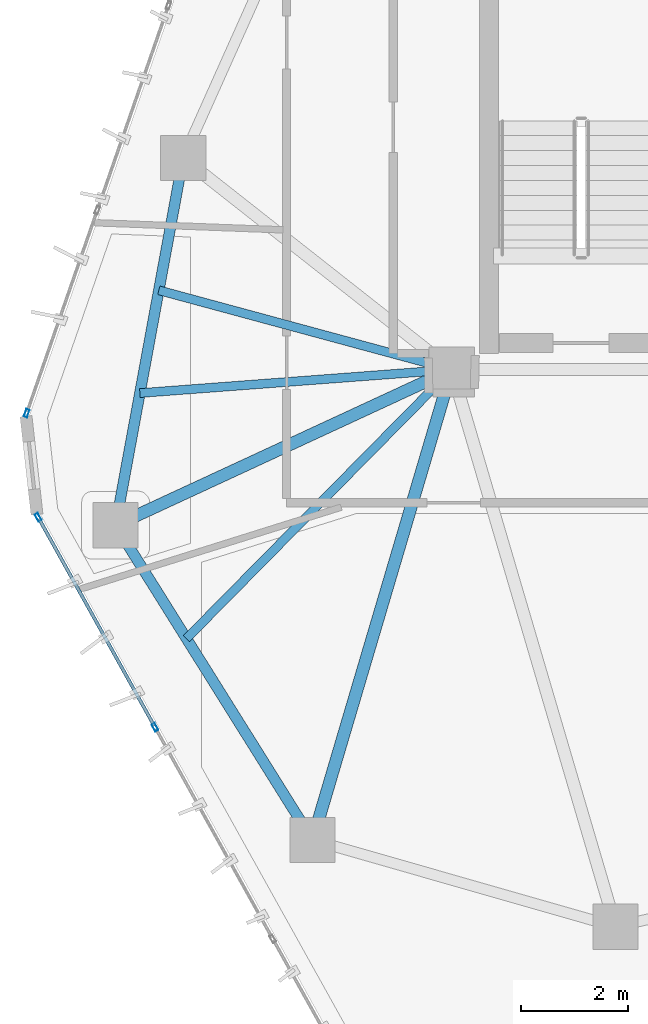
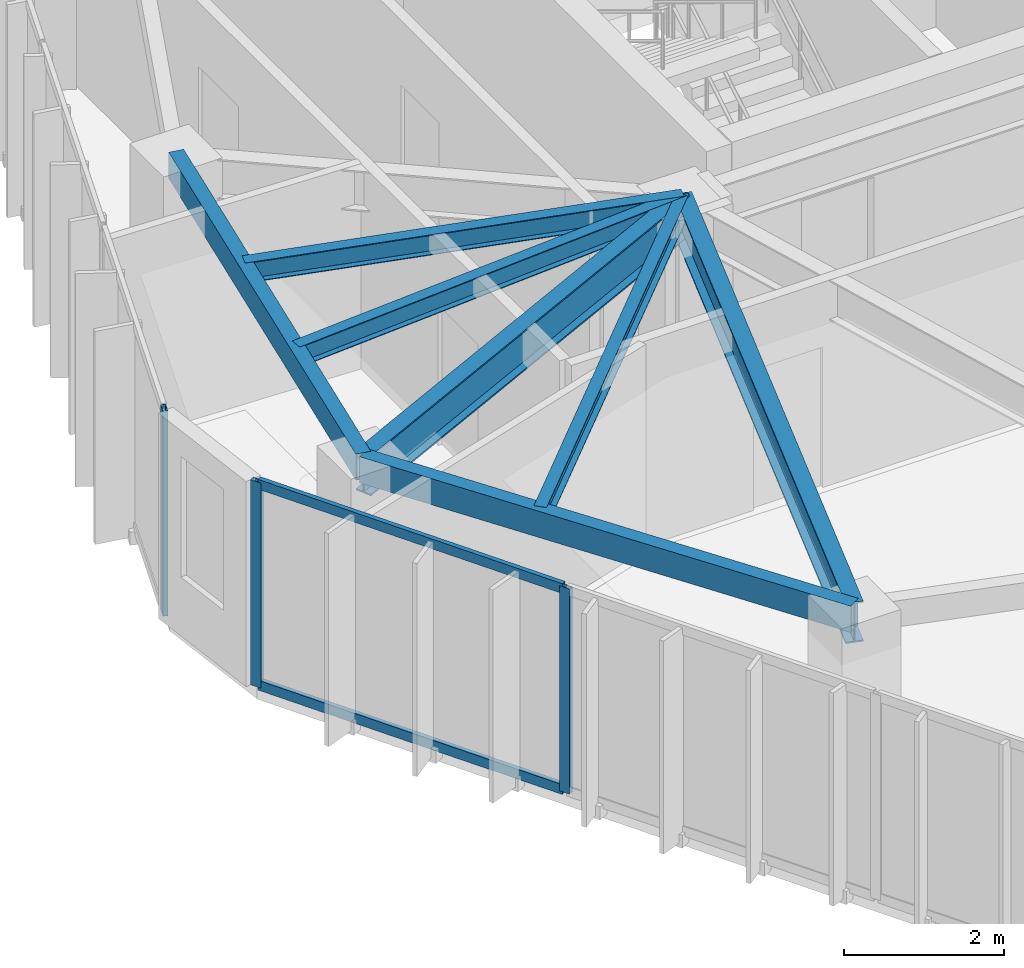
# One storey, part 4 of 21: 7 beams, 5 members, 2 elements without a shape of their own.
"""IFC4 building model written with IfcOpenShell, lengths in metres."""

from ifc_helpers import new_model, si_unit, direction, frame, origin, origin_2d, place, context, subcontext, project, spatial, hollow_rectangle, i_section, extrude, source, transform, mapped, material, layer, layer_set, material_profile, profile_set, type_object, type_shapes, element, aggregate, save


model = new_model("IFC4")

# Units and contexts
model_context = context("Model", 3, precision=1e-05, world=origin(), true_north=direction((0.0, 1.0)))
body_context = subcontext(model_context, "Body", "Model", "MODEL_VIEW")
ifc_project = project(units=[si_unit("LENGTHUNIT", "METRE"), si_unit("AREAUNIT", "SQUARE_METRE"), si_unit("VOLUMEUNIT", "CUBIC_METRE"), si_unit("PLANEANGLEUNIT", "RADIAN"), si_unit("MASSUNIT", "GRAM", prefix="KILO")], contexts=[model_context])

# Site, building, storey
site_placement = place(None, origin())
site = spatial("IfcSite", under=ifc_project, at=site_placement, CompositionType="ELEMENT")
building_placement = place(site_placement, origin())
building = spatial("IfcBuilding", under=site, at=building_placement, Name="Talar Marvaseh", CompositionType="ELEMENT")
storey_placement = place(building_placement, frame((0.0, 0.0, 264.60009765625)))
storey = spatial("IfcBuildingStorey", under=building, at=storey_placement, Name="L70", CompositionType="ELEMENT", Elevation=264.60009765625)

# Beams
ifc_material_1 = material(Name="Steel S355", Category="steel")
ifc_material_profile_1 = material_profile(ifc_material_1, hollow_rectangle(XDim=0.199951171875, YDim=0.39990234375, WallThickness=0.013916015625, at=origin_2d()), Name="RHS400x200x14")
ifc_profile_set_1 = profile_set([ifc_material_profile_1], Name="Steel S355")
beam_type_1 = type_object("IfcBeamType", Name="Zone 3 Perimeter Spandrel Beam RHS400x200x14", PredefinedType="SPANDREL", material=ifc_profile_set_1)
beam_1_placement = place(storey_placement, frame((12.388916015625, 22.576904296875, 2.93994140625), z_axis=(0.18106135948, 0.983471801377, 0.0), x_axis=(-0.983471801377, 0.18106135948, 0.0)))
element("IfcBeam", 1, at=beam_1_placement, inside=storey, type_object=beam_type_1, Name="L70 Zone 3 Perimeter Spandrel Beam RHS400x200x14", PredefinedType="SPANDREL", context=body_context, shape_type="SweptSolid", body=[
    extrude(hollow_rectangle(XDim=0.199951171875, YDim=0.39990234375, WallThickness=0.013916015625, at=origin_2d()), origin(), (0.0, 0.0, 1.0), 7.0087890625),
])
beam_2_placement = place(storey_placement, frame((16.0869140625, 16.66796875, 2.93994140625), z_axis=(-0.530505706813, 0.847681364098, 0.0), x_axis=(-0.847681364098, -0.530505706813, 0.0)))
element("IfcBeam", 2, at=beam_2_placement, inside=storey, type_object=beam_type_1, Name="L70 Zone 3 Perimeter Spandrel Beam RHS400x200x14", PredefinedType="SPANDREL", context=body_context, shape_type="SweptSolid", body=[
    extrude(hollow_rectangle(XDim=0.199951171875, YDim=0.39990234375, WallThickness=0.013916015625, at=origin_2d()), origin(), (0.0, 0.0, 1.0), 6.970703125),
])
ifc_material_profile_2 = material_profile(ifc_material_1, i_section(OverallWidth=0.166015625, OverallDepth=0.31298828125, WebThickness=0.006591796875, FlangeThickness=0.01123046875, at=origin_2d()), Name="W310x45")
ifc_profile_set_2 = profile_set([ifc_material_profile_2], Name="Steel S355")
beam_type_2 = type_object("IfcBeamType", Name="Zone 3 Secondary Floor Joist W310x45", PredefinedType="JOIST", material=ifc_profile_set_2)
beam_3_placement = place(storey_placement, frame((12.845703125, 25.05859375, 2.9833984375), z_axis=(0.997169535009, 0.075185892627, 0.0), x_axis=(-0.075185892627, 0.997169535009, 0.0)))
element("IfcBeam", 3, at=beam_3_placement, inside=storey, type_object=beam_type_2, Name="L70 Zone 3 Secondary Floor Joist W310x45", PredefinedType="JOIST", context=body_context, shape_type="SweptSolid", body=[
    extrude(i_section(OverallWidth=0.166015625, OverallDepth=0.31298828125, WebThickness=0.006591796875, FlangeThickness=0.01123046875, at=origin_2d()), origin(), (0.0, 0.0, 1.0), 5.870849609375),
])
beam_4_placement = place(storey_placement, frame((13.201171875, 26.988525390625, 2.9833984375), z_axis=(0.965258580671, -0.26129652206, 0.0), x_axis=(0.26129652206, 0.965258580671, 0.0)))
element("IfcBeam", 4, at=beam_4_placement, inside=storey, type_object=beam_type_2, Name="L70 Zone 3 Secondary Floor Joist W310x45", PredefinedType="JOIST", context=body_context, shape_type="SweptSolid", body=[
    extrude(i_section(OverallWidth=0.166015625, OverallDepth=0.31298828125, WebThickness=0.006591796875, FlangeThickness=0.01123046875, at=origin_2d()), origin(), (0.0, 0.0, 1.0), 5.69677734375),
])
beam_5_placement = place(storey_placement, frame((13.72021484375, 20.44970703125, 2.9833984375), z_axis=(0.702115238584, 0.712063334085, 0.0), x_axis=(-0.712063334085, 0.702115238584, 0.0)))
element("IfcBeam", 5, at=beam_5_placement, inside=storey, type_object=beam_type_2, Name="L70 Zone 3 Secondary Floor Joist W310x45", PredefinedType="JOIST", context=body_context, shape_type="SweptSolid", body=[
    extrude(i_section(OverallWidth=0.166015625, OverallDepth=0.31298828125, WebThickness=0.006591796875, FlangeThickness=0.01123046875, at=origin_2d()), origin(), (0.0, 0.0, 1.0), 7.092529296875),
])
ifc_material_profile_3 = material_profile(ifc_material_1, i_section(OverallWidth=0.22998046875, OverallDepth=0.616943359375, WebThickness=0.01318359375, FlangeThickness=0.022216796875, at=origin_2d()), Name="W610x140")
ifc_profile_set_3 = profile_set([ifc_material_profile_3], Name="Steel S355")
beam_type_3 = type_object("IfcBeamType", Name="Zone 4 Radial Floor Girder W610x140", PredefinedType="BEAM", material=ifc_profile_set_3)
beam_6_placement = place(storey_placement, frame((12.388916015625, 22.576904296875, 2.831298828125), z_axis=(0.907394527995, 0.420279871709, 0.0), x_axis=(-0.420279871709, 0.907394527995, 0.0)))
element("IfcBeam", 6, at=beam_6_placement, inside=storey, type_object=beam_type_3, Name="L70 Zone 4 Radial Floor Girder W610x140", PredefinedType="BEAM", context=body_context, shape_type="SweptSolid", body=[
    extrude(i_section(OverallWidth=0.22998046875, OverallDepth=0.616943359375, WebThickness=0.01318359375, FlangeThickness=0.022216796875, at=origin_2d()), origin(), (0.0, 0.0, 1.0), 6.955078125),
])
beam_7_placement = place(storey_placement, frame((16.0869140625, 16.66796875, 2.831298828125), z_axis=(0.283702937759, 0.958912218666, 0.0), x_axis=(-0.958912218666, 0.283702937759, 0.0)))
element("IfcBeam", 7, at=beam_7_placement, inside=storey, type_object=beam_type_3, Name="L70 Zone 4 Radial Floor Girder W610x140", PredefinedType="BEAM", context=body_context, shape_type="SweptSolid", body=[
    extrude(i_section(OverallWidth=0.22998046875, OverallDepth=0.616943359375, WebThickness=0.01318359375, FlangeThickness=0.022216796875, at=origin_2d()), origin(), (0.0, 0.0, 1.0), 9.21044921875),
])

# Curtain wall, members
ifc_material_2 = material(Name="Architectural Aluminium", Category="aluminium")
ifc_layer = layer(ifc_material_2, 0.179931640625)
ifc_layer_set = layer_set([ifc_layer], Name="Architectural Aluminium")
curtain_wall_type = type_object("IfcCurtainWallType", Name="Unitised High-Wind Sky Curtain Wall Z4", PredefinedType="NOTDEFINED", material=ifc_layer_set)
curtain_wall_1_placement = place(storey_placement, origin())
curtain_wall_1 = element("IfcCurtainWall", 8, at=curtain_wall_1_placement, inside=storey, type_object=curtain_wall_type, Name="L70 Unitised High-Wind Sky Curtain Wall Z4", PredefinedType="NOTDEFINED")
ifc_material_profile_4 = material_profile(ifc_material_2, hollow_rectangle(XDim=0.06494140625, YDim=0.14990234375, WallThickness=0.00390625, at=origin_2d()), Name="RHS150x65x4")
ifc_profile_set_4 = profile_set([ifc_material_profile_4], Name="Architectural Aluminium")
member_type_1 = type_object("IfcMemberType", Name="Unitised Curtain Wall Slim Mullion RHS150x65x4", PredefinedType="MULLION", material=ifc_profile_set_4)
shared_shape_1 = source(origin(), body_context, "Body", "SweptSolid", [
    extrude(hollow_rectangle(XDim=0.06494140625, YDim=0.14990234375, WallThickness=0.00390625, at=origin_2d()), origin(), (0.0, 0.0, 1.0), 3.139892578125),
])
type_shapes(member_type_1, [shared_shape_1])
member_1_placement = place(storey_placement, frame((13.130126953125, 18.784423828125, 0.0), z_axis=(0.0, 0.0, 1.0), x_axis=(-0.873803480843, -0.486279216981, 0.0)))
member_1 = element("IfcMember", 9, at=member_1_placement, type_object=member_type_1, Name="CW-Z4 mullion 3", PredefinedType="MULLION", context=body_context, shape_type="MappedRepresentation", body=[
    mapped(shared_shape_1, transform((0.0, 0.0, 0.0), x_axis=(1.0, 0.0, 0.0), y_axis=(0.0, 1.0, 0.0), z_axis=(0.0, 0.0, 1.0), scale=1.0)),
])
member_2_placement = place(storey_placement, frame((10.935791015625, 22.727294921875, 0.0), z_axis=(0.0, 0.0, 1.0), x_axis=(-0.873803480843, -0.486279216981, 0.0)))
member_2 = element("IfcMember", 10, at=member_2_placement, type_object=member_type_1, Name="CW-Z4 mullion 4", PredefinedType="MULLION", context=body_context, shape_type="MappedRepresentation", body=[
    mapped(shared_shape_1, transform((0.0, 0.0, 0.0), x_axis=(1.0, 0.0, 0.0), y_axis=(0.0, 1.0, 0.0), z_axis=(0.0, 0.0, 1.0), scale=1.0)),
])

# Curtain wall, member
curtain_wall_2_placement = place(storey_placement, origin())
curtain_wall_2 = element("IfcCurtainWall", 11, at=curtain_wall_2_placement, inside=storey, type_object=curtain_wall_type, Name="L70 Unitised High-Wind Sky Curtain Wall Z4", PredefinedType="NOTDEFINED")
member_3_placement = place(storey_placement, frame((10.720458984375, 24.680419921875, 0.0), z_axis=(0.0, 0.0, 1.0), x_axis=(-0.944480106126, 0.328568606431, 0.0)))
member_3 = element("IfcMember", 12, at=member_3_placement, type_object=member_type_1, Name="CW-Z4 mullion 1", PredefinedType="MULLION", context=body_context, shape_type="MappedRepresentation", body=[
    mapped(shared_shape_1, transform((0.0, 0.0, 0.0), x_axis=(1.0, 0.0, 0.0), y_axis=(0.0, 1.0, 0.0), z_axis=(0.0, 0.0, 1.0), scale=1.0)),
])
aggregate(curtain_wall_2, [member_3])

# Member
ifc_material_profile_5 = material_profile(ifc_material_2, hollow_rectangle(XDim=0.06494140625, YDim=0.14990234375, WallThickness=0.00390625, at=origin_2d()), Name="RHS150x65x4")
ifc_profile_set_5 = profile_set([ifc_material_profile_5], Name="Architectural Aluminium")
member_type_2 = type_object("IfcMemberType", Name="Unitised Curtain Wall Slim Transom RHS150x65x4", PredefinedType="USERDEFINED", material=ifc_profile_set_5)
shared_shape_2 = source(origin(), body_context, "Body", "SweptSolid", [
    extrude(hollow_rectangle(XDim=0.06494140625, YDim=0.14990234375, WallThickness=0.00390625, at=origin_2d()), origin(), (0.0, 0.0, 1.0), 4.447509765625),
])
type_shapes(member_type_2, [shared_shape_2])
member_4_placement = place(storey_placement, frame((13.114501953125, 18.812744140625, 0.032470703125), z_axis=(-0.486299960253, 0.873791936709, 0.0), x_axis=(-0.873791936709, -0.486299960253, 0.0)))
member_4 = element("IfcMember", 13, at=member_4_placement, type_object=member_type_2, Name="CW-Z4 transom 3.1", ObjectType="TRANSOM", PredefinedType="USERDEFINED", context=body_context, shape_type="MappedRepresentation", body=[
    mapped(shared_shape_2, transform((0.0, 0.0, 0.0), x_axis=(1.0, 0.0, 0.0), y_axis=(0.0, 1.0, 0.0), z_axis=(0.0, 0.0, 1.0), scale=1.0)),
])

member_5_placement = place(storey_placement, frame((13.114501953125, 18.812744140625, 3.107421875), z_axis=(-0.486299960253, 0.873791936709, 0.0), x_axis=(-0.873791936709, -0.486299960253, 0.0)))
member_5 = element("IfcMember", 14, at=member_5_placement, type_object=member_type_2, Name="CW-Z4 transom 3.2", ObjectType="TRANSOM", PredefinedType="USERDEFINED", context=body_context, shape_type="MappedRepresentation", body=[
    mapped(shared_shape_2, transform((0.0, 0.0, 0.0), x_axis=(1.0, 0.0, 0.0), y_axis=(0.0, 1.0, 0.0), z_axis=(0.0, 0.0, 1.0), scale=1.0)),
])

aggregate(curtain_wall_1, [member_1, member_2, member_4, member_5])

save(model, "model.ifc")
